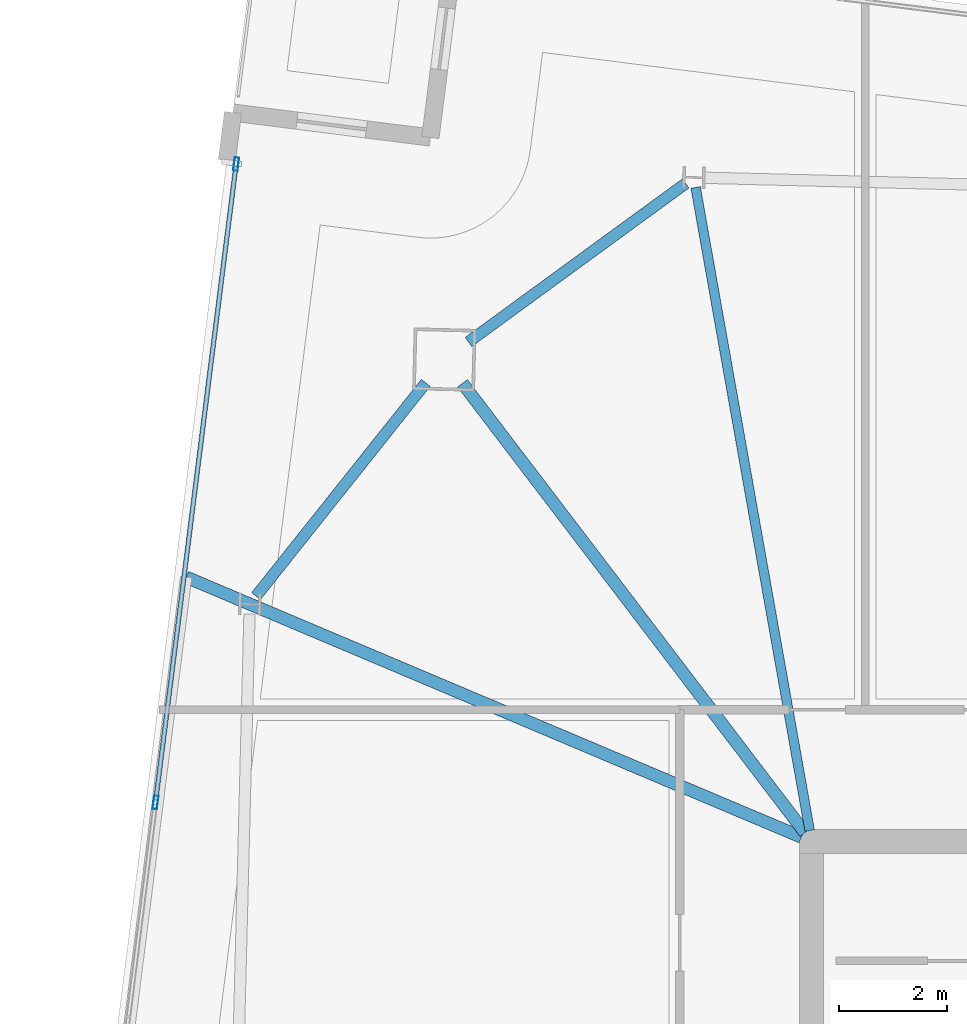
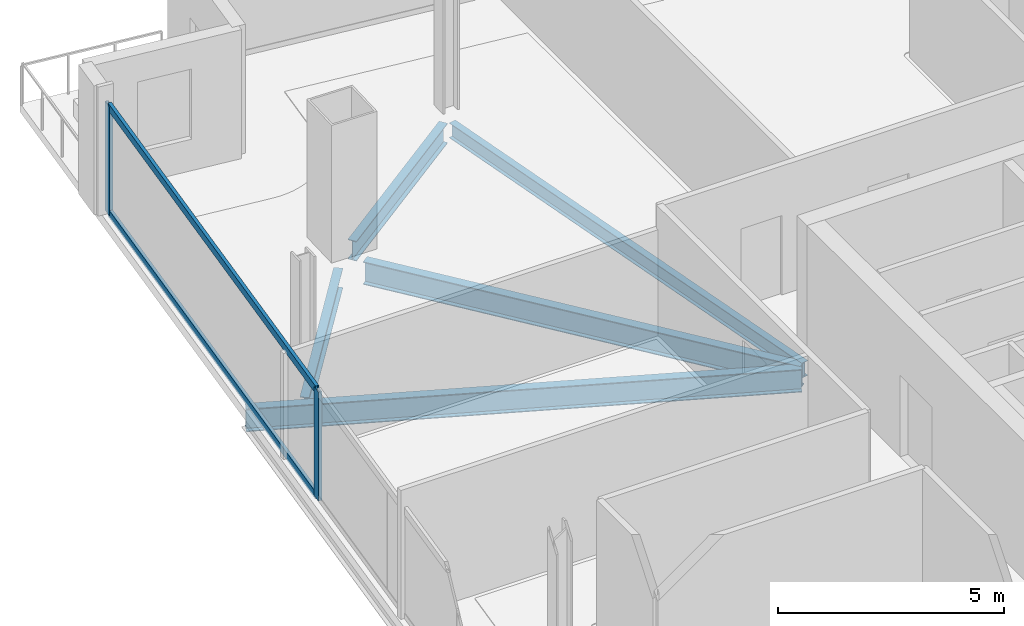
# One storey, part 11 of 23: 5 beams, 4 members, 1 element without a shape of its own.
"""IFC4 building model written with IfcOpenShell, lengths in metres."""

from ifc_helpers import new_model, si_unit, direction, frame, origin, origin_2d, place, context, subcontext, project, spatial, hollow_rectangle, i_section, extrude, material, material_profile, profile_set, type_object, element, aggregate, save


model = new_model("IFC4")

# Units and contexts
model_context = context("Model", 3, precision=1e-05, world=origin(), true_north=direction((0.0, 1.0)))
body_context = subcontext(model_context, "Body", "Model", "MODEL_VIEW")
ifc_project = project(units=[si_unit("LENGTHUNIT", "METRE"), si_unit("AREAUNIT", "SQUARE_METRE"), si_unit("VOLUMEUNIT", "CUBIC_METRE"), si_unit("PLANEANGLEUNIT", "RADIAN"), si_unit("MASSUNIT", "GRAM", prefix="KILO")], contexts=[model_context])

# Site, building, storey
site_placement = place(None, origin())
site = spatial("IfcSite", under=ifc_project, at=site_placement, CompositionType="ELEMENT")
building_placement = place(site_placement, origin())
building = spatial("IfcBuilding", under=site, at=building_placement, Name="Haldenkirk Collegiate Tower", CompositionType="ELEMENT")
storey_placement = place(building_placement, frame((0.0, 0.0, 306.449951171875)))
storey = spatial("IfcBuildingStorey", under=building, at=storey_placement, Name="L77", CompositionType="ELEMENT", Elevation=306.449951171875)

# Beams
ifc_material_1 = material(Name="Steel ASTM A992 Grade 50", Category="steel")
ifc_material_profile_1 = material_profile(ifc_material_1, i_section(OverallWidth=0.22998046875, OverallDepth=0.616943359375, WebThickness=0.01318359375, FlangeThickness=0.022216796875, at=origin_2d()), Name="W24X94")
ifc_profile_set_1 = profile_set([ifc_material_profile_1], Name="Steel ASTM A992 Grade 50")
beam_type_1 = type_object("IfcBeamType", Name="BM-GIRDER-W24X94", PredefinedType="BEAM", material=ifc_profile_set_1)
beam_1_placement = place(storey_placement, frame((20.510498046875, 42.514404296875, -0.568359375), z_axis=(0.606183308444, -0.79532496287, 0.0), x_axis=(0.79532496287, 0.606183308444, 0.0)))
element("IfcBeam", 1, at=beam_1_placement, inside=storey, type_object=beam_type_1, Name="L77 primary floor girder 03", PredefinedType="BEAM", context=body_context, shape_type="SweptSolid", body=[
    extrude(i_section(OverallWidth=0.22998046875, OverallDepth=0.616943359375, WebThickness=0.01318359375, FlangeThickness=0.022216796875, at=origin_2d()), origin(), (0.0, 0.0, 1.0), 10.50048828125),
])
beam_2_placement = place(storey_placement, frame((15.37548828125, 38.91162109375, -0.568359375), z_axis=(0.921153068137, -0.389200494684, 0.0), x_axis=(0.389200494684, 0.921153068137, 0.0)))
element("IfcBeam", 2, at=beam_2_placement, inside=storey, type_object=beam_type_1, Name="L77 primary floor girder 11", PredefinedType="BEAM", context=body_context, shape_type="SweptSolid", body=[
    extrude(i_section(OverallWidth=0.22998046875, OverallDepth=0.616943359375, WebThickness=0.01318359375, FlangeThickness=0.022216796875, at=origin_2d()), origin(), (0.0, 0.0, 1.0), 12.41455078125),
])
ifc_material_profile_2 = material_profile(ifc_material_1, i_section(OverallWidth=0.177978515625, OverallDepth=0.406005859375, WebThickness=0.0078125, FlangeThickness=0.0126953125, at=origin_2d()), Name="W16X40")
ifc_profile_set_2 = profile_set([ifc_material_profile_2], Name="Steel ASTM A992 Grade 50")
beam_type_2 = type_object("IfcBeamType", Name="BM-JOIST-W16X40", PredefinedType="JOIST", material=ifc_profile_set_2)
beam_3_placement = place(storey_placement, frame((24.843994140625, 46.154541015625, -0.462890625), z_axis=(0.174650341591, -0.984630518612, 0.0), x_axis=(0.984630518612, 0.174650341591, 0.0)))
element("IfcBeam", 3, at=beam_3_placement, inside=storey, type_object=beam_type_2, Name="L77 composite floor joist 10", PredefinedType="JOIST", context=body_context, shape_type="SweptSolid", body=[
    extrude(i_section(OverallWidth=0.177978515625, OverallDepth=0.406005859375, WebThickness=0.0078125, FlangeThickness=0.0126953125, at=origin_2d()), origin(), (0.0, 0.0, 1.0), 12.13916015625),
])
ifc_material_profile_3 = material_profile(ifc_material_1, i_section(OverallWidth=0.2099609375, OverallDepth=0.537109375, WebThickness=0.010986328125, FlangeThickness=0.017333984375, at=origin_2d()), Name="W21X68")
ifc_profile_set_3 = profile_set([ifc_material_profile_3], Name="Steel ASTM A992 Grade 50")
beam_type_3 = type_object("IfcBeamType", Name="BM-SPANDREL-W21X68", PredefinedType="SPANDREL", material=ifc_profile_set_3)
beam_4_placement = place(storey_placement, frame((24.6591796875, 46.228759765625, -0.528564453125), z_axis=(-0.807792834001, -0.589466485338, 0.0), x_axis=(0.589466485338, -0.807792834001, 0.0)))
element("IfcBeam", 4, at=beam_4_placement, inside=storey, type_object=beam_type_3, Name="L77 perimeter spandrel beam 08", PredefinedType="SPANDREL", context=body_context, shape_type="SweptSolid", body=[
    extrude(i_section(OverallWidth=0.2099609375, OverallDepth=0.537109375, WebThickness=0.010986328125, FlangeThickness=0.017333984375, at=origin_2d()), origin(), (0.0, 0.0, 1.0), 4.997314453125),
])
beam_5_placement = place(storey_placement, frame((19.828369140625, 42.521484375, -0.528564453125), z_axis=(-0.622694005585, -0.782465446783, 0.0), x_axis=(0.782465446783, -0.622694005585, 0.0)))
element("IfcBeam", 5, at=beam_5_placement, inside=storey, type_object=beam_type_3, Name="L77 perimeter spandrel beam 09", PredefinedType="SPANDREL", context=body_context, shape_type="SweptSolid", body=[
    extrude(i_section(OverallWidth=0.2099609375, OverallDepth=0.537109375, WebThickness=0.010986328125, FlangeThickness=0.017333984375, at=origin_2d()), origin(), (0.0, 0.0, 1.0), 5.06396484375),
])

# Curtain wall, members
ifc_material_2 = material(Name="Anodised architectural bronze aluminium", Category="aluminium")
curtain_wall_type = type_object("IfcCurtainWallType", Name="CW-SYS1B-CONVEX-HI", PredefinedType="USERDEFINED", material=ifc_material_2)
curtain_wall_placement = place(storey_placement, origin())
curtain_wall = element("IfcCurtainWall", 6, at=curtain_wall_placement, inside=storey, type_object=curtain_wall_type, Name="L77 Upper tower high-wind convex bronze unitised curtain wall", ObjectType="UNITISED CURTAIN WALL", PredefinedType="USERDEFINED")
ifc_material_profile_4 = material_profile(ifc_material_2, hollow_rectangle(XDim=0.0849609375, YDim=0.25, WallThickness=0.0048828125, at=origin_2d()), Name="CW-MUL-1B")
ifc_profile_set_4 = profile_set([ifc_material_profile_4], Name="Anodised architectural bronze aluminium")
member_type_1 = type_object("IfcMemberType", Name="CW-MUL-1B", PredefinedType="MULLION", material=ifc_profile_set_4)
member_1_placement = place(storey_placement, frame((14.806396484375, 34.72509765625, 0.0), z_axis=(0.0, 0.0, 1.0), x_axis=(-0.992114676148, 0.125333432781, 0.0)))
member_1 = element("IfcMember", 7, at=member_1_placement, type_object=member_type_1, Name="CW-1B mullion 3", PredefinedType="MULLION", context=body_context, shape_type="SweptSolid", body=[
    extrude(hollow_rectangle(XDim=0.0849609375, YDim=0.25, WallThickness=0.0048828125, at=origin_2d()), origin(), (0.0, 0.0, 1.0), 2.947998046875),
])
member_2_placement = place(storey_placement, frame((16.30517578125, 46.588134765625, 0.0), z_axis=(0.0, 0.0, 1.0), x_axis=(-0.992114676148, 0.125333432781, 0.0)))
member_2 = element("IfcMember", 8, at=member_2_placement, type_object=member_type_1, Name="CW-1B mullion 4", PredefinedType="MULLION", context=body_context, shape_type="SweptSolid", body=[
    extrude(hollow_rectangle(XDim=0.0849609375, YDim=0.25, WallThickness=0.0048828125, at=origin_2d()), origin(), (0.0, 0.0, 1.0), 2.947998046875),
])
ifc_material_profile_5 = material_profile(ifc_material_2, hollow_rectangle(XDim=0.0849609375, YDim=0.199951171875, WallThickness=0.0048828125, at=origin_2d()), Name="CW-TRN-1B")
ifc_profile_set_5 = profile_set([ifc_material_profile_5], Name="Anodised architectural bronze aluminium")
member_type_2 = type_object("IfcMemberType", Name="CW-TRN-1B", PredefinedType="USERDEFINED", material=ifc_profile_set_5)
member_3_placement = place(storey_placement, frame((14.811767578125, 34.76708984375, 0.04248046875), z_axis=(0.125332959878, 0.992114735889, 0.0), x_axis=(-0.992114735889, 0.125332959878, 0.0)))
member_3 = element("IfcMember", 9, at=member_3_placement, type_object=member_type_2, Name="CW-1B transom 3.1", ObjectType="TRANSOM", PredefinedType="USERDEFINED", context=body_context, shape_type="SweptSolid", body=[
    extrude(hollow_rectangle(XDim=0.0849609375, YDim=0.199951171875, WallThickness=0.0048828125, at=origin_2d()), origin(), (0.0, 0.0, 1.0), 11.87255859375),
])
member_4_placement = place(storey_placement, frame((14.811767578125, 34.76708984375, 2.905517578125), z_axis=(0.125332959878, 0.992114735889, 0.0), x_axis=(-0.992114735889, 0.125332959878, 0.0)))
member_4 = element("IfcMember", 10, at=member_4_placement, type_object=member_type_2, Name="CW-1B transom 3.2", ObjectType="TRANSOM", PredefinedType="USERDEFINED", context=body_context, shape_type="SweptSolid", body=[
    extrude(hollow_rectangle(XDim=0.0849609375, YDim=0.199951171875, WallThickness=0.0048828125, at=origin_2d()), origin(), (0.0, 0.0, 1.0), 11.87255859375),
])
aggregate(curtain_wall, [member_1, member_2, member_3, member_4])

save(model, "model.ifc")
